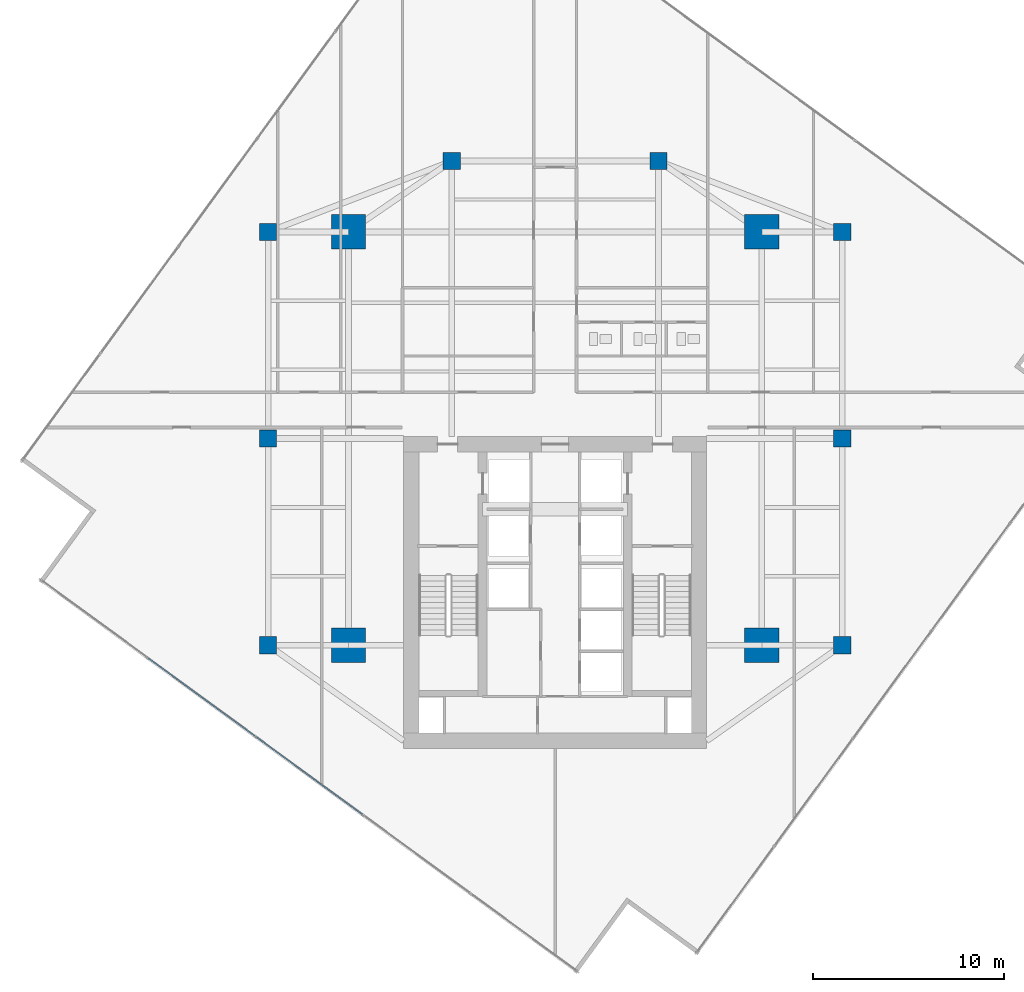
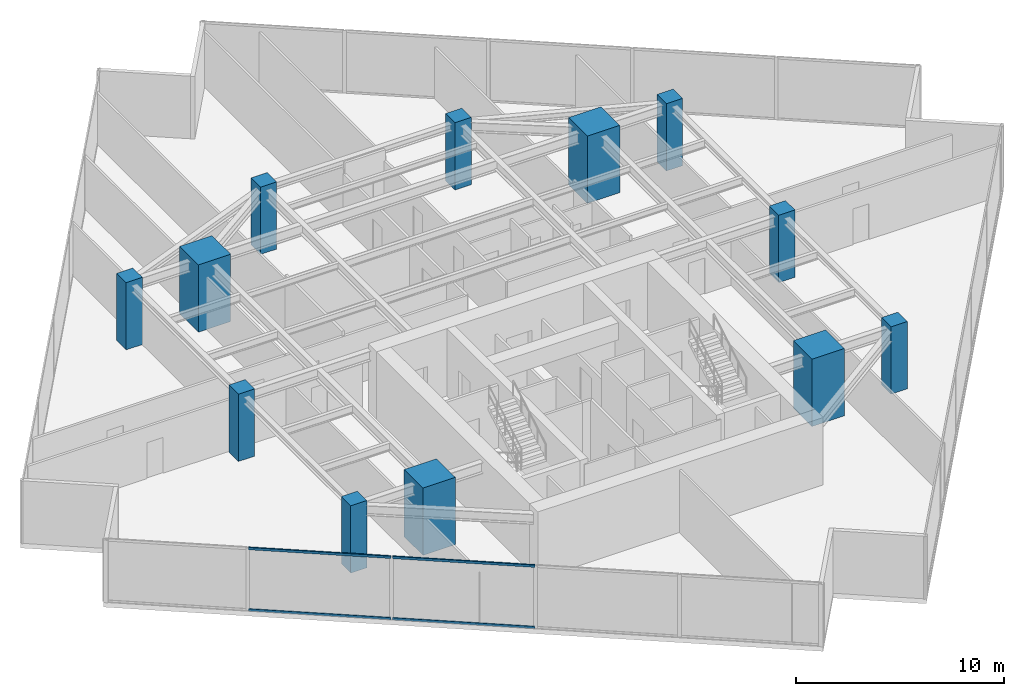
# One storey, part 1 of 25: 12 columns, 4 members, 1 element without a shape of its own.
"""IFC4 building model written with IfcOpenShell, lengths in metres."""

from ifc_helpers import new_model, si_unit, direction, frame, origin, origin_2d, place, context, subcontext, project, spatial, rectangle, hollow_rectangle, extrude, source, transform, mapped, material, material_profile, profile_set, type_object, type_shapes, element, aggregate, save


model = new_model("IFC4")

# Units and contexts
model_context = context("Model", 3, precision=1e-05, world=origin(), true_north=direction((0.0, 1.0)))
body_context = subcontext(model_context, "Body", "Model", "MODEL_VIEW")
ifc_project = project(units=[si_unit("LENGTHUNIT", "METRE"), si_unit("AREAUNIT", "SQUARE_METRE"), si_unit("VOLUMEUNIT", "CUBIC_METRE"), si_unit("PLANEANGLEUNIT", "RADIAN"), si_unit("MASSUNIT", "GRAM", prefix="KILO")], contexts=[model_context])

# Site, building, storey
site_placement = place(None, origin())
site = spatial("IfcSite", under=ifc_project, at=site_placement, CompositionType="ELEMENT")
building_placement = place(site_placement, origin())
building = spatial("IfcBuilding", under=site, at=building_placement, Name="Krantzveldt Concourse Tower", CompositionType="ELEMENT")
storey_placement = place(building_placement, frame((0.0, 0.0, 193.60009765625)))
storey = spatial("IfcBuildingStorey", under=building, at=storey_placement, Name="L47", CompositionType="ELEMENT", Elevation=193.60009765625)

# Columns
ifc_material_1 = material(Name="Concrete C50/60", Category="concrete")
ifc_material_profile_1 = material_profile(ifc_material_1, rectangle(XDim=1.800048828125, YDim=1.800048828125, at=origin_2d()), Name="Concrete C50/60", Category="concrete")
ifc_profile_set_1 = profile_set([ifc_material_profile_1], Name="Concrete C50/60 - RC 1800x1800")
column_type_1 = type_object("IfcColumnType", Name="COL-MC-1800", PredefinedType="USERDEFINED", material=ifc_profile_set_1)
shared_shape_1 = source(origin(), body_context, "Body", "SweptSolid", [
    extrude(rectangle(XDim=1.800048828125, YDim=1.800048828125, at=origin_2d()), origin(), (0.0, 0.0, 1.0), 3.949951171875),
])
type_shapes(column_type_1, [shared_shape_1])
for number, where, z_axis, x_axis, name in (
    (1, (25.199951171875, 15.89990234375, 0.0), (0.0, 0.0, 1.0), (1.0, 0.0, 0.0), "MC-SW-L47"),
    (2, (46.800048828125, 15.89990234375, 0.0), (0.0, 0.0, 1.0), (1.0, 0.0, 0.0), "MC-SE-L47"),
    (3, (46.800048828125, 37.5, 0.0), (0.0, 0.0, 1.0), (1.0, 0.0, 0.0), "MC-NE-L47"),
    (4, (25.199951171875, 37.5, 0.0), (0.0, 0.0, 1.0), (1.0, 0.0, 0.0), "MC-NW-L47"),
):
    element("IfcColumn", number, at=place(storey_placement, frame(where, z_axis=z_axis, x_axis=x_axis)), inside=storey, type_object=column_type_1, Name=name, ObjectType="MEGA COLUMN", PredefinedType="USERDEFINED", context=body_context, shape_type="MappedRepresentation", body=[
        mapped(shared_shape_1, transform((0.0, 0.0, 0.0), x_axis=(1.0, 0.0, 0.0), y_axis=(0.0, 1.0, 0.0), z_axis=(0.0, 0.0, 1.0), scale=1.0)),
    ])
ifc_material_profile_2 = material_profile(ifc_material_1, rectangle(XDim=0.89990234375, YDim=0.89990234375, at=origin_2d()), Name="Concrete C50/60", Category="concrete")
ifc_profile_set_2 = profile_set([ifc_material_profile_2], Name="Concrete C50/60 - RC 900x900")
column_type_2 = type_object("IfcColumnType", Name="COL-C-Z3", PredefinedType="COLUMN", material=ifc_profile_set_2)
shared_shape_2 = source(origin(), body_context, "Body", "SweptSolid", [
    extrude(rectangle(XDim=0.89990234375, YDim=0.89990234375, at=origin_2d()), origin(), (0.0, 0.0, 1.0), 3.949951171875),
])
type_shapes(column_type_2, [shared_shape_2])
for number, where, z_axis, x_axis, name in (
    (5, (21.0, 15.89990234375, 0.0), (0.0, 0.0, 1.0), (1.0, 0.0, 0.0), "PC-R01-L47"),
    (6, (21.0, 26.699951171875, 0.0), (0.0, 0.0, 1.0), (1.0, 0.0, 0.0), "PC-R02-L47"),
    (7, (21.0, 37.5, 0.0), (0.0, 0.0, 1.0), (1.0, 0.0, 0.0), "PC-R03-L47"),
    (8, (30.60009765625, 41.199951171875, 0.0), (0.0, 0.0, 1.0), (1.0, 0.0, 0.0), "PC-R04-L47"),
    (9, (41.39990234375, 41.199951171875, 0.0), (0.0, 0.0, 1.0), (1.0, 0.0, 0.0), "PC-R05-L47"),
    (10, (51.0, 37.5, 0.0), (0.0, 0.0, 1.0), (1.0, 0.0, 0.0), "PC-R06-L47"),
    (11, (51.0, 26.699951171875, 0.0), (0.0, 0.0, 1.0), (1.0, 0.0, 0.0), "PC-R07-L47"),
    (12, (51.0, 15.89990234375, 0.0), (0.0, 0.0, 1.0), (1.0, 0.0, 0.0), "PC-R08-L47"),
):
    element("IfcColumn", number, at=place(storey_placement, frame(where, z_axis=z_axis, x_axis=x_axis)), inside=storey, type_object=column_type_2, Name=name, PredefinedType="COLUMN", context=body_context, shape_type="MappedRepresentation", body=[
        mapped(shared_shape_2, transform((0.0, 0.0, 0.0), x_axis=(1.0, 0.0, 0.0), y_axis=(0.0, 1.0, 0.0), z_axis=(0.0, 0.0, 1.0), scale=1.0)),
    ])

# Curtain wall, members
ifc_material_2 = material(Name="Anodised aluminium 6063-T6", Category="aluminium")
curtain_wall_type = type_object("IfcCurtainWallType", Name="CW3", PredefinedType="USERDEFINED", material=ifc_material_2)
curtain_wall_placement = place(storey_placement, origin())
curtain_wall = element("IfcCurtainWall", 13, at=curtain_wall_placement, inside=storey, type_object=curtain_wall_type, Name="CW-L47-F04", ObjectType="UNITISED CURTAIN WALL", PredefinedType="USERDEFINED")
ifc_material_profile_3 = material_profile(ifc_material_2, hollow_rectangle(XDim=0.070068359375, YDim=0.139892578125, WallThickness=0.0048828125, at=origin_2d()), Name="Anodised aluminium 6063-T6", Category="aluminium")
ifc_profile_set_3 = profile_set([ifc_material_profile_3], Name="Anodised aluminium 6063-T6 - ALU-TRAN 140x70x5")
member_type = type_object("IfcMemberType", Name="CW-TRN-150", PredefinedType="USERDEFINED", material=ifc_profile_set_3)
shared_shape_3 = source(origin(), body_context, "Body", "SweptSolid", [
    extrude(hollow_rectangle(XDim=0.070068359375, YDim=0.139892578125, WallThickness=0.0048828125, at=origin_2d()), origin(), (0.0, 0.0, 1.0), 6.889892578125),
])
type_shapes(member_type, [shared_shape_3])
member_1_placement = place(storey_placement, frame((14.737548828125, 15.217529296875, 0.034912109375), z_axis=(0.807726644352, -0.589557179589, 0.0), x_axis=(0.589557179589, 0.807726644352, 0.0)))
member_1 = element("IfcMember", 14, at=member_1_placement, type_object=member_type, Name="CW-Z34 transom 2.1", ObjectType="TRANSOM", PredefinedType="USERDEFINED", context=body_context, shape_type="MappedRepresentation", body=[
    mapped(shared_shape_3, transform((0.0, 0.0, 0.0), x_axis=(1.0, 0.0, 0.0), y_axis=(0.0, 1.0, 0.0), z_axis=(0.0, 0.0, 1.0), scale=1.0)),
])
member_2_placement = place(storey_placement, frame((14.737548828125, 15.217529296875, 3.635009765625), z_axis=(0.807726644352, -0.589557179589, 0.0), x_axis=(0.589557179589, 0.807726644352, 0.0)))
member_2 = element("IfcMember", 15, at=member_2_placement, type_object=member_type, Name="CW-Z34 transom 2.2", ObjectType="TRANSOM", PredefinedType="USERDEFINED", context=body_context, shape_type="MappedRepresentation", body=[
    mapped(shared_shape_3, transform((0.0, 0.0, 0.0), x_axis=(1.0, 0.0, 0.0), y_axis=(0.0, 1.0, 0.0), z_axis=(0.0, 0.0, 1.0), scale=1.0)),
])
member_3_placement = place(storey_placement, frame((20.359375, 11.1142578125, 0.034912109375), z_axis=(0.807726644352, -0.589557179589, 0.0), x_axis=(0.589557179589, 0.807726644352, 0.0)))
member_3 = element("IfcMember", 16, at=member_3_placement, type_object=member_type, Name="CW-Z34 transom 3.1", ObjectType="TRANSOM", PredefinedType="USERDEFINED", context=body_context, shape_type="MappedRepresentation", body=[
    mapped(shared_shape_3, transform((0.0, 0.0, 0.0), x_axis=(1.0, 0.0, 0.0), y_axis=(0.0, 1.0, 0.0), z_axis=(0.0, 0.0, 1.0), scale=1.0)),
])
member_4_placement = place(storey_placement, frame((20.359375, 11.1142578125, 3.635009765625), z_axis=(0.807726644352, -0.589557179589, 0.0), x_axis=(0.589557179589, 0.807726644352, 0.0)))
member_4 = element("IfcMember", 17, at=member_4_placement, type_object=member_type, Name="CW-Z34 transom 3.2", ObjectType="TRANSOM", PredefinedType="USERDEFINED", context=body_context, shape_type="MappedRepresentation", body=[
    mapped(shared_shape_3, transform((0.0, 0.0, 0.0), x_axis=(1.0, 0.0, 0.0), y_axis=(0.0, 1.0, 0.0), z_axis=(0.0, 0.0, 1.0), scale=1.0)),
])
aggregate(curtain_wall, [member_1, member_2, member_3, member_4])

save(model, "model.ifc")
